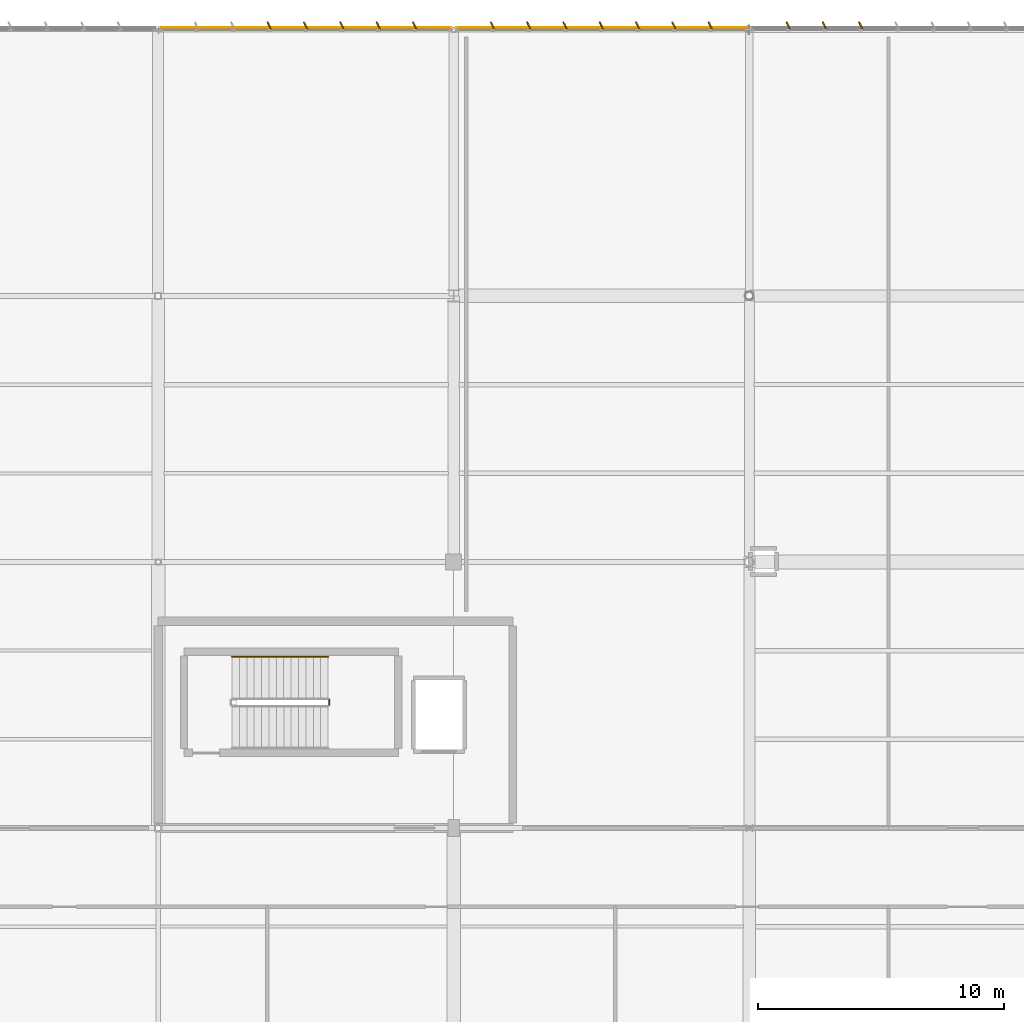
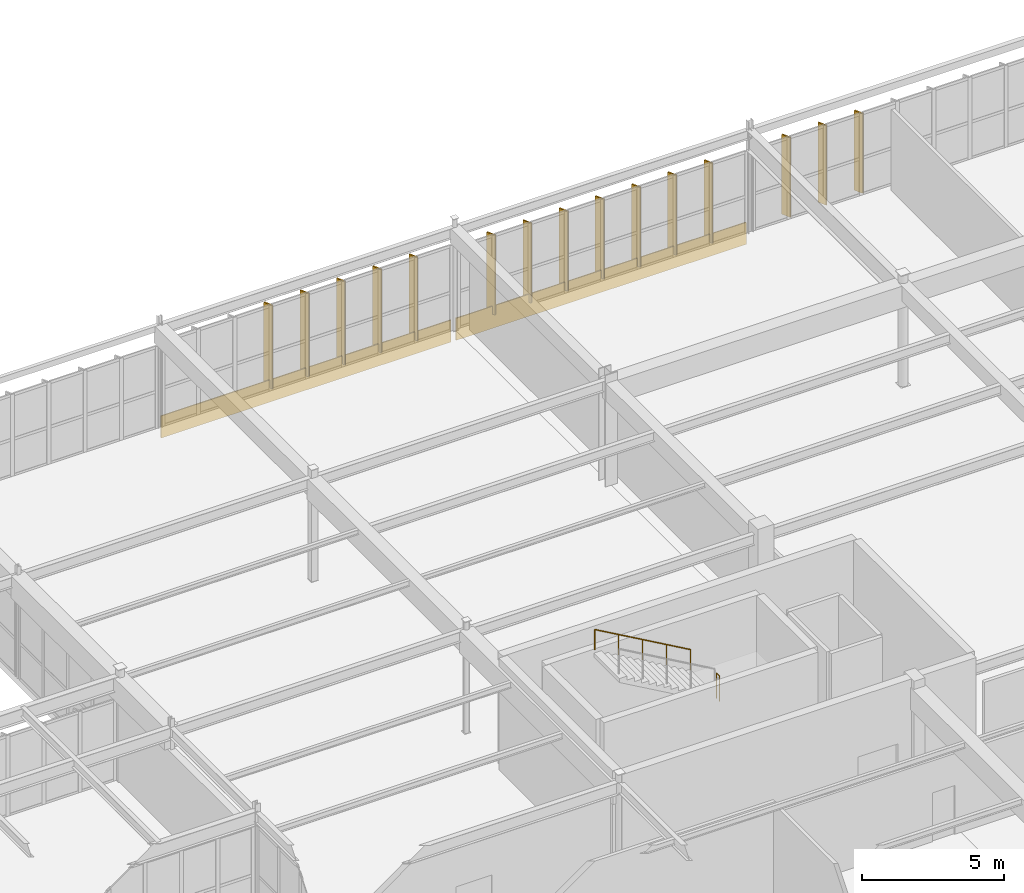
# One storey, part 185 of 186: 15 shading devices, 2 coverings, 2 railings.
"""IFC4 building model written with IfcOpenShell, lengths in metres."""

import ifcopenshell
import ifcopenshell.guid

model = None  # the IFC model being written
_history = None  # IfcOwnerHistory: only IFC2X3 demands one
_inside = {}  # id of a spatial element -> (the spatial element, [elements in it])
_under = {}  # id of a project, library or spatial element -> (it, [spatial elements below it])
_declared = {}  # id of a project -> (the project, [libraries it declares])
_typed = {}  # id of a type object -> (the type object, [elements of that type])
_made_of = {}  # id of a material, layer set ... -> (it, [elements and type objects made of it])


def new_model(schema):
    """Start an empty IFC model of exactly this schema.

    Asked for "IFC4X3", IfcOpenShell would pick the latest addendum, in which some entities
    have other attributes; the version numbers below select the first issue.
    IFC2X3 requires an IfcOwnerHistory on every rooted entity: one is made here for all.
    """
    global model, _history
    if schema == "IFC4X3":
        model = ifcopenshell.file(schema_version=(4, 3, 0, 0))
    else:
        model = ifcopenshell.file(schema=schema)
    _inside.clear()
    _under.clear()
    _declared.clear()
    _typed.clear()
    _made_of.clear()
    _history = None
    if model.schema == "IFC2X3":
        org = make("IfcOrganization", Name="unknown")
        user = make(
            "IfcPersonAndOrganization",
            ThePerson=make("IfcPerson", FamilyName="unknown"),
            TheOrganization=org,
        )
        app = make(
            "IfcApplication",
            ApplicationDeveloper=org,
            Version="unknown",
            ApplicationFullName="unknown",
            ApplicationIdentifier="unknown",
        )
        _history = make(
            "IfcOwnerHistory",
            OwningUser=user,
            OwningApplication=app,
            ChangeAction="ADDED",
            CreationDate=0,
        )
    return model


def make(cls, **values):
    """One entity of the class cls with the attributes given. An attribute that is None is left unset."""
    return model.create_entity(
        cls, **{name: value for name, value in values.items() if value is not None}
    )


def rooted(cls, **values):
    """An entity with a GlobalId (a new one), such as an element, a storey or a relation."""
    return make(cls, GlobalId=ifcopenshell.guid.new(), OwnerHistory=_history, **values)


def si_unit(unit_type, name, prefix=None):
    """IfcSIUnit, for example si_unit("LENGTHUNIT", "METRE", prefix="MILLI")."""
    return make("IfcSIUnit", UnitType=unit_type, Prefix=prefix, Name=name)


def assignment(units):
    """IfcUnitAssignment: the units of a project."""
    return None if units is None else make("IfcUnitAssignment", Units=units)


def point(xyz):
    """IfcCartesianPoint."""
    return None if xyz is None else make("IfcCartesianPoint", Coordinates=xyz)


def direction(xyz):
    """IfcDirection."""
    return None if xyz is None else make("IfcDirection", DirectionRatios=xyz)


def frame(location, z_axis=None, x_axis=None):
    """IfcAxis2Placement3D, a coordinate frame: its origin and axes. An axis left out is left unset."""
    return make(
        "IfcAxis2Placement3D",
        Location=point(location),
        Axis=direction(z_axis),
        RefDirection=direction(x_axis),
    )


def frame_2d(location, x_axis=None):
    """IfcAxis2Placement2D, a coordinate frame in the plane: its origin and x axis."""
    return make(
        "IfcAxis2Placement2D", Location=point(location), RefDirection=direction(x_axis)
    )


def origin():
    """The frame at (0, 0, 0) with its axes left unset."""
    return frame((0.0, 0.0, 0.0))


def origin_2d():
    """The frame at (0, 0) in the plane with its x axis left unset."""
    return frame_2d((0.0, 0.0))


def place(relative_to, where):
    """IfcLocalPlacement: puts the frame where relative to a parent placement (None: the world)."""
    return make(
        "IfcLocalPlacement", PlacementRelTo=relative_to, RelativePlacement=where
    )


def context(
    kind, dimensions, precision=None, world=None, true_north=None, identifier=None
):
    """IfcGeometricRepresentationContext, for example the 3D "Model" context."""
    return make(
        "IfcGeometricRepresentationContext",
        ContextIdentifier=identifier,
        ContextType=kind,
        CoordinateSpaceDimension=dimensions,
        Precision=precision,
        WorldCoordinateSystem=world,
        TrueNorth=true_north,
    )


def subcontext(parent, identifier, kind, view, scale=None):
    """IfcGeometricRepresentationSubContext, for example "Body" below "Model"."""
    return make(
        "IfcGeometricRepresentationSubContext",
        ContextIdentifier=identifier,
        ContextType=kind,
        ParentContext=parent,
        TargetScale=scale,
        TargetView=view,
    )


def project(units=None, contexts=None):
    """IfcProject with its units and contexts."""
    return rooted(
        "IfcProject",
        Name="project",
        RepresentationContexts=contexts,
        UnitsInContext=assignment(units),
    )


def spatial(cls, under=None, at=None, **own):
    """A site, building, storey or space (cls), placed at a placement, below another one or the project."""
    s = rooted(cls, ObjectPlacement=at, **own)
    if under is not None:
        _under.setdefault(under.id(), (under, []))[1].append(s)
    return s


def profile(cls, at=None, kind="AREA", **sizes):
    """A parametric profile (cls). Its sizes go by their IFC names, for example OverallWidth=200.0."""
    return make(cls, ProfileType=kind, Position=at, **sizes)


def rectangle(**sizes):
    """IfcRectangleProfileDef."""
    return profile("IfcRectangleProfileDef", **sizes)


def circle(**sizes):
    """IfcCircleProfileDef."""
    return profile("IfcCircleProfileDef", **sizes)


def extrude(swept, where, along, depth):
    """IfcExtrudedAreaSolid: the profile swept, set in the frame where, extruded along a direction by depth."""
    return make(
        "IfcExtrudedAreaSolid",
        SweptArea=swept,
        Position=where,
        ExtrudedDirection=direction(along),
        Depth=depth,
    )


def shape(context_of_items, identifier, shape_type, items):
    """IfcShapeRepresentation: the items that make up one representation, for example the "Body"."""
    return make(
        "IfcShapeRepresentation",
        ContextOfItems=context_of_items,
        RepresentationIdentifier=identifier,
        RepresentationType=shape_type,
        Items=items,
    )


def material(Name=None, Category=None):
    """IfcMaterial."""
    return make("IfcMaterial", Name=Name, Category=Category)


def layer(
    of_material, thickness, ventilated=None, Name=None, Category=None, Priority=None
):
    """IfcMaterialLayer: one layer of a wall or slab, of a material (None: an air gap)."""
    return make(
        "IfcMaterialLayer",
        Material=of_material,
        LayerThickness=thickness,
        IsVentilated=ventilated,
        Name=Name,
        Category=Category,
        Priority=Priority,
    )


def layer_set(layers, Name=None):
    """IfcMaterialLayerSet."""
    return make("IfcMaterialLayerSet", MaterialLayers=layers, LayerSetName=Name)


def made_of(thing, what):
    """Note that an element or type object is made of a material, layer set ...; save() writes the relation."""
    if what is not None:
        _made_of.setdefault(what.id(), (what, []))[1].append(thing)
    return thing


def type_object(cls, material=None, **own):
    """A type object (cls), such as IfcWallType, which elements share."""
    return made_of(rooted(cls, **own), material)


def element(
    cls,
    number,
    at=None,
    inside=None,
    cuts=None,
    type_object=None,
    material=None,
    context=None,
    identifier="Body",
    shape_type=None,
    held_by="IfcProductDefinitionShape",
    body=None,
    shapes=None,
    **own,
):
    """One element of the class cls, such as IfcWall. Its Tag is "e" and its number.

    at: its placement. inside: the storey or other place that contains it. cuts: it is an
    opening in that element (IfcRelVoidsElement). A single representation is given by context,
    identifier, shape_type and body (its items); several are given by shapes. held_by: the class
    of the entity that holds the representations. save() writes the other relations.
    """
    e = rooted(cls, Tag="e%d" % number, ObjectPlacement=at, **own)
    if body is not None:
        shapes = [shape(context, identifier, shape_type, body)]
    if shapes is not None:
        e.Representation = make(held_by, Representations=shapes)
    if inside is not None:
        _inside.setdefault(inside.id(), (inside, []))[1].append(e)
    if cuts is not None:
        rooted(
            "IfcRelVoidsElement", RelatingBuildingElement=cuts, RelatedOpeningElement=e
        )
    if type_object is not None:
        _typed.setdefault(type_object.id(), (type_object, []))[1].append(e)
    return made_of(e, material)


def aggregate(whole, parts):
    """IfcRelAggregates: a whole, such as a stair, and the parts it consists of."""
    return rooted("IfcRelAggregates", RelatingObject=whole, RelatedObjects=parts)


def save(model, path):
    """Write the relations noted so far, then the file.

    IfcRelAggregates (storeys below a building ...), IfcRelContainedInSpatialStructure (elements
    in a storey), IfcRelDefinesByType, IfcRelAssociatesMaterial and IfcRelDeclares: one each for
    every whole, place, type object, material and project.
    """
    for whole, parts in _under.values():
        aggregate(whole, parts)
    for where, things in _inside.values():
        rooted(
            "IfcRelContainedInSpatialStructure",
            RelatedElements=things,
            RelatingStructure=where,
        )
    for kind, things in _typed.values():
        rooted("IfcRelDefinesByType", RelatedObjects=things, RelatingType=kind)
    for what, things in _made_of.values():
        rooted("IfcRelAssociatesMaterial", RelatedObjects=things, RelatingMaterial=what)
    for by, libraries in _declared.values():
        rooted("IfcRelDeclares", RelatingContext=by, RelatedDefinitions=libraries)
    model.write(path)


model = new_model("IFC4")

# Units and contexts
model_context = context("Model", 3, precision=1e-05, world=origin(), true_north=direction((0.0, 1.0)))
body_context = subcontext(model_context, "Body", "Model", "MODEL_VIEW")
ifc_project = project(units=[si_unit("LENGTHUNIT", "METRE"), si_unit("AREAUNIT", "SQUARE_METRE"), si_unit("VOLUMEUNIT", "CUBIC_METRE"), si_unit("PLANEANGLEUNIT", "RADIAN"), si_unit("MASSUNIT", "GRAM", prefix="KILO")], contexts=[model_context])

# Site, building, storey
site_placement = place(None, origin())
site = spatial("IfcSite", under=ifc_project, at=site_placement, CompositionType="ELEMENT")
building_placement = place(site_placement, origin())
building = spatial("IfcBuilding", under=site, at=building_placement, Name="Tarnwether General Hospital", CompositionType="ELEMENT")
storey_placement = place(building_placement, frame((0.0, 0.0, 9.60009765625)))
storey = spatial("IfcBuildingStorey", under=building, at=storey_placement, Name="L02", CompositionType="ELEMENT", Elevation=9.60009765625)

# Coverings
ifc_material_1 = material(Name="Folded zinc-titanium cladding")
ifc_layer_1 = layer(ifc_material_1, 0.0400390625)
ifc_layer_set_1 = layer_set([ifc_layer_1], Name="Folded zinc-titanium cladding")
covering_type = type_object("IfcCoveringType", Name="CV-CLD-ZNC", PredefinedType="CLADDING", material=ifc_layer_set_1)
for number, where, z_axis, x_axis, name in (
    (1, (162.0, 126.090087890625, -0.55517578125), (0.0, 0.0, 1.0), (1.0, 0.0, 0.0), "Deconstructivist Faceted Zinc Spandrel Blade 036"),
    (2, (174.0, 126.090087890625, -0.55517578125), (0.0, 0.0, 1.0), (1.0, 0.0, 0.0), "Deconstructivist Faceted Zinc Spandrel Blade 037"),
):
    element("IfcCovering", number, at=place(storey_placement, frame(where, z_axis=z_axis, x_axis=x_axis)), inside=storey, type_object=covering_type, Name=name, PredefinedType="CLADDING", context=body_context, shape_type="SweptSolid", body=[
        extrude(rectangle(XDim=11.800048828125, YDim=0.0400390625, at=origin_2d()), origin(), (0.0, 0.0, 1.0), 0.949951171875),
    ])

# Railings
ifc_material_2 = material(Name="Anodised aluminium", Category="aluminium")
railing_type_1 = type_object("IfcRailingType", Name="RL-GRD-INT", PredefinedType="GUARDRAIL", material=ifc_material_2)
railing_1_placement = place(storey_placement, frame((162.949951171875, 98.60009765625, 2.39990234375)))
element("IfcRailing", 3, at=railing_1_placement, inside=storey, type_object=railing_type_1, Name="L02 ST-06 stair guard 2", PredefinedType="GUARDRAIL", context=body_context, shape_type="SweptSolid", body=[
    extrude(circle(Radius=0.02392578125, at=origin_2d()), frame((0.0, 0.0, 1.076171875), z_axis=(0.0, 1.0, 0.0), x_axis=(-1.0, 0.0, 0.0)), (0.0, 0.0, 1.0), 0.199951171875),
    extrude(circle(Radius=0.02099609375, at=origin_2d()), origin(), (0.0, 0.0, 1.0), 1.052001953125),
    extrude(circle(Radius=0.02099609375, at=origin_2d()), frame((0.0, 0.199951171875, 0.0)), (0.0, 0.0, 1.0), 1.052001953125),
])
ifc_material_3 = material(Name="Anodised aluminium", Category="aluminium")
railing_type_2 = type_object("IfcRailingType", Name="RL-HND-INT", PredefinedType="HANDRAIL", material=ifc_material_3)
railing_2_placement = place(storey_placement, frame((162.89990234375, 100.550048828125, 2.5712890625)))
element("IfcRailing", 4, at=railing_2_placement, inside=storey, type_object=railing_type_2, Name="L02 ST-06 stair handrail 2", PredefinedType="HANDRAIL", context=body_context, shape_type="SweptSolid", body=[
    extrude(circle(Radius=0.02392578125, at=origin_2d()), frame((0.0, 0.0, 0.8759765625), z_axis=(-0.868243142124, 0.0, 0.496138938357), x_axis=(0.0, -1.0, 0.0)), (0.0, 0.0, 1.0), 4.49169921875),
    extrude(circle(Radius=0.02099609375, at=origin_2d()), origin(), (0.0, 0.0, 1.0), 0.851806640625),
    extrude(circle(Radius=0.02099609375, at=origin_2d()), frame((-0.97509765625, 0.0, 0.55712890625)), (0.0, 0.0, 1.0), 0.851806640625),
    extrude(circle(Radius=0.02099609375, at=origin_2d()), frame((-1.949951171875, 0.0, 1.1142578125)), (0.0, 0.0, 1.0), 0.851806640625),
    extrude(circle(Radius=0.02099609375, at=origin_2d()), frame((-2.9248046875, 0.0, 1.67138671875)), (0.0, 0.0, 1.0), 0.851806640625),
    extrude(circle(Radius=0.02099609375, at=origin_2d()), frame((-3.89990234375, 0.0, 2.228515625)), (0.0, 0.0, 1.0), 0.851806640625),
])

# Shading devices
ifc_material_4 = material(Name="Champagne-bronze anodised aluminium", Category="aluminium")
ifc_layer_2 = layer(ifc_material_4, 0.06005859375)
ifc_layer_set_2 = layer_set([ifc_layer_2], Name="Champagne-bronze anodised aluminium")
shading_device_type = type_object("IfcShadingDeviceType", Name="SH-FIN-BRZ", PredefinedType="USERDEFINED", material=ifc_layer_set_2)
for number, where, z_axis, x_axis, name in (
    (5, (160.514892578125, 126.159912109375, 0.0498046875), (0.0, 0.0, 1.0), (0.906307787037, 0.422618261741, 0.0), "Champagne-Bronze Brise-Soleil Fin 0501"),
    (6, (161.990966796875, 126.159912109375, 0.0498046875), (0.0, 0.0, 1.0), (0.906307787037, 0.422618261741, 0.0), "Champagne-Bronze Brise-Soleil Fin 0502"),
    (7, (163.467041015625, 126.159912109375, 0.0498046875), (0.0, 0.0, 1.0), (0.906307787037, 0.422618261741, 0.0), "Champagne-Bronze Brise-Soleil Fin 0503"),
    (8, (164.943115234375, 126.159912109375, 0.0498046875), (0.0, 0.0, 1.0), (0.906307787037, 0.422618261741, 0.0), "Champagne-Bronze Brise-Soleil Fin 0504"),
    (9, (166.4189453125, 126.159912109375, 0.0498046875), (0.0, 0.0, 1.0), (0.906307787037, 0.422618261741, 0.0), "Champagne-Bronze Brise-Soleil Fin 0505"),
):
    element("IfcShadingDevice", number, at=place(storey_placement, frame(where, z_axis=z_axis, x_axis=x_axis)), inside=storey, type_object=shading_device_type, Name=name, ObjectType="SOLAR FIN", PredefinedType="USERDEFINED", context=body_context, shape_type="SweptSolid", body=[
        extrude(rectangle(XDim=0.06005859375, YDim=0.360107421875, at=origin_2d()), origin(), (0.0, 0.0, 1.0), 3.580078125),
    ])
for number, where, z_axis, x_axis, name in (
    (10, (169.577880859375, 126.159912109375, 0.0498046875), (0.0, 0.0, 1.0), (0.906307787037, 0.422618261741, 0.0), "Champagne-Bronze Brise-Soleil Fin 0506"),
    (11, (171.051025390625, 126.159912109375, 0.0498046875), (0.0, 0.0, 1.0), (0.906307787037, 0.422618261741, 0.0), "Champagne-Bronze Brise-Soleil Fin 0507"),
    (12, (172.52392578125, 126.159912109375, 0.0498046875), (0.0, 0.0, 1.0), (0.906307787037, 0.422618261741, 0.0), "Champagne-Bronze Brise-Soleil Fin 0508"),
    (13, (173.998046875, 126.159912109375, 0.0498046875), (0.0, 0.0, 1.0), (0.906307787037, 0.422618261741, 0.0), "Champagne-Bronze Brise-Soleil Fin 0509"),
    (14, (175.470947265625, 126.159912109375, 0.0498046875), (0.0, 0.0, 1.0), (0.906307787037, 0.422618261741, 0.0), "Champagne-Bronze Brise-Soleil Fin 0510"),
    (15, (176.944091796875, 126.159912109375, 0.0498046875), (0.0, 0.0, 1.0), (0.906307787037, 0.422618261741, 0.0), "Champagne-Bronze Brise-Soleil Fin 0511"),
    (16, (178.4169921875, 126.159912109375, 0.0498046875), (0.0, 0.0, 1.0), (0.906307787037, 0.422618261741, 0.0), "Champagne-Bronze Brise-Soleil Fin 0512"),
    (17, (181.58203125, 126.159912109375, 0.0498046875), (0.0, 0.0, 1.0), (0.906307787037, 0.422618261741, 0.0), "Champagne-Bronze Brise-Soleil Fin 0513"),
    (18, (183.053955078125, 126.159912109375, 0.0498046875), (0.0, 0.0, 1.0), (0.906307787037, 0.422618261741, 0.0), "Champagne-Bronze Brise-Soleil Fin 0514"),
    (19, (184.527099609375, 126.159912109375, 0.0498046875), (0.0, 0.0, 1.0), (0.906307787037, 0.422618261741, 0.0), "Champagne-Bronze Brise-Soleil Fin 0515"),
):
    element("IfcShadingDevice", number, at=place(storey_placement, frame(where, z_axis=z_axis, x_axis=x_axis)), inside=storey, type_object=shading_device_type, Name=name, ObjectType="SOLAR FIN", PredefinedType="USERDEFINED", context=body_context, shape_type="SweptSolid", body=[
        extrude(rectangle(XDim=0.06005859375, YDim=0.360107421875, at=origin_2d()), origin(), (0.0, 0.0, 1.0), 3.425048828125),
    ])

save(model, "model.ifc")
